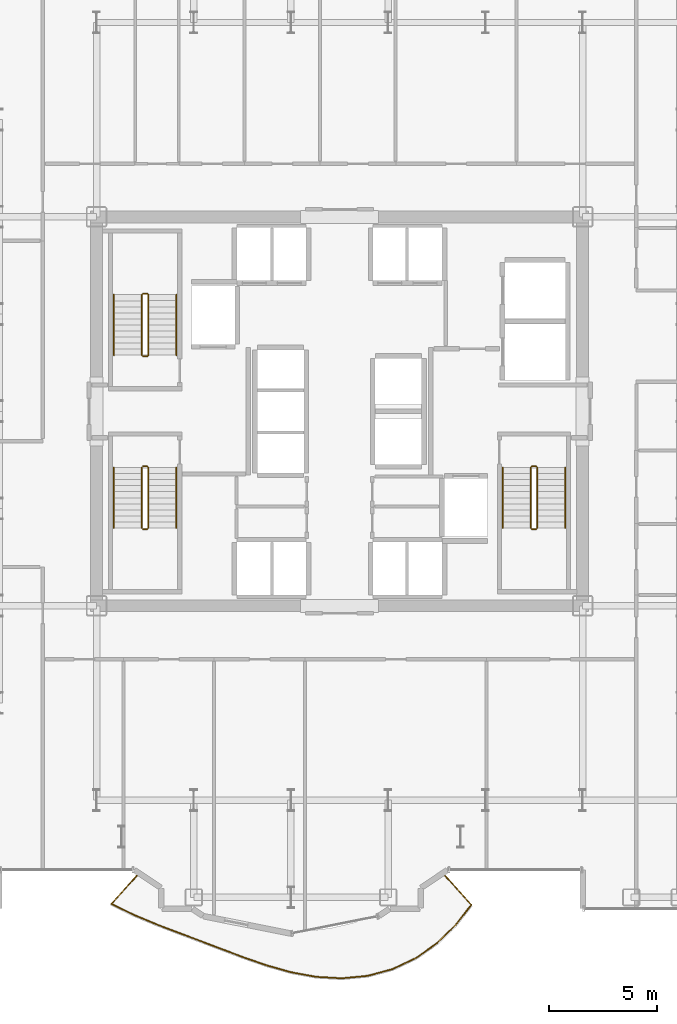
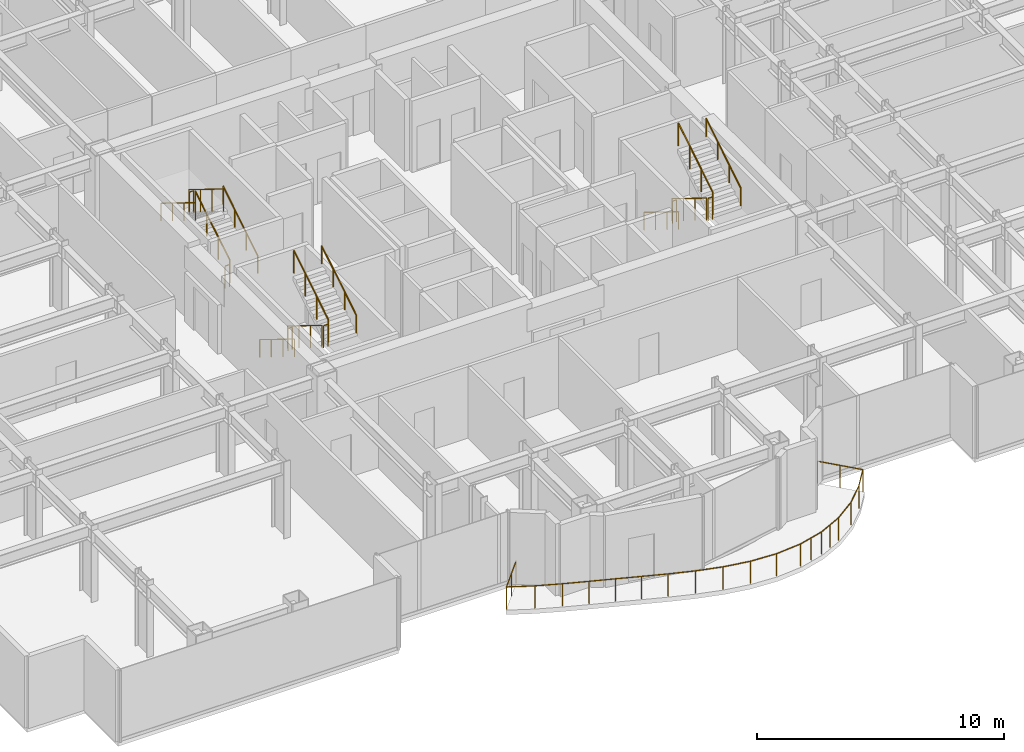
# One storey, part 28 of 29: 19 railings.
"""IFC4 building model written with IfcOpenShell, lengths in metres."""

import ifcopenshell
import ifcopenshell.guid

model = None  # the IFC model being written
_history = None  # IfcOwnerHistory: only IFC2X3 demands one
_inside = {}  # id of a spatial element -> (the spatial element, [elements in it])
_under = {}  # id of a project, library or spatial element -> (it, [spatial elements below it])
_declared = {}  # id of a project -> (the project, [libraries it declares])
_typed = {}  # id of a type object -> (the type object, [elements of that type])
_made_of = {}  # id of a material, layer set ... -> (it, [elements and type objects made of it])


def new_model(schema):
    """Start an empty IFC model of exactly this schema.

    Asked for "IFC4X3", IfcOpenShell would pick the latest addendum, in which some entities
    have other attributes; the version numbers below select the first issue.
    IFC2X3 requires an IfcOwnerHistory on every rooted entity: one is made here for all.
    """
    global model, _history
    if schema == "IFC4X3":
        model = ifcopenshell.file(schema_version=(4, 3, 0, 0))
    else:
        model = ifcopenshell.file(schema=schema)
    _inside.clear()
    _under.clear()
    _declared.clear()
    _typed.clear()
    _made_of.clear()
    _history = None
    if model.schema == "IFC2X3":
        org = make("IfcOrganization", Name="unknown")
        user = make(
            "IfcPersonAndOrganization",
            ThePerson=make("IfcPerson", FamilyName="unknown"),
            TheOrganization=org,
        )
        app = make(
            "IfcApplication",
            ApplicationDeveloper=org,
            Version="unknown",
            ApplicationFullName="unknown",
            ApplicationIdentifier="unknown",
        )
        _history = make(
            "IfcOwnerHistory",
            OwningUser=user,
            OwningApplication=app,
            ChangeAction="ADDED",
            CreationDate=0,
        )
    return model


def make(cls, **values):
    """One entity of the class cls with the attributes given. An attribute that is None is left unset."""
    return model.create_entity(
        cls, **{name: value for name, value in values.items() if value is not None}
    )


def rooted(cls, **values):
    """An entity with a GlobalId (a new one), such as an element, a storey or a relation."""
    return make(cls, GlobalId=ifcopenshell.guid.new(), OwnerHistory=_history, **values)


def si_unit(unit_type, name, prefix=None):
    """IfcSIUnit, for example si_unit("LENGTHUNIT", "METRE", prefix="MILLI")."""
    return make("IfcSIUnit", UnitType=unit_type, Prefix=prefix, Name=name)


def assignment(units):
    """IfcUnitAssignment: the units of a project."""
    return None if units is None else make("IfcUnitAssignment", Units=units)


def point(xyz):
    """IfcCartesianPoint."""
    return None if xyz is None else make("IfcCartesianPoint", Coordinates=xyz)


def direction(xyz):
    """IfcDirection."""
    return None if xyz is None else make("IfcDirection", DirectionRatios=xyz)


def frame(location, z_axis=None, x_axis=None):
    """IfcAxis2Placement3D, a coordinate frame: its origin and axes. An axis left out is left unset."""
    return make(
        "IfcAxis2Placement3D",
        Location=point(location),
        Axis=direction(z_axis),
        RefDirection=direction(x_axis),
    )


def frame_2d(location, x_axis=None):
    """IfcAxis2Placement2D, a coordinate frame in the plane: its origin and x axis."""
    return make(
        "IfcAxis2Placement2D", Location=point(location), RefDirection=direction(x_axis)
    )


def origin():
    """The frame at (0, 0, 0) with its axes left unset."""
    return frame((0.0, 0.0, 0.0))


def origin_2d():
    """The frame at (0, 0) in the plane with its x axis left unset."""
    return frame_2d((0.0, 0.0))


def place(relative_to, where):
    """IfcLocalPlacement: puts the frame where relative to a parent placement (None: the world)."""
    return make(
        "IfcLocalPlacement", PlacementRelTo=relative_to, RelativePlacement=where
    )


def context(
    kind, dimensions, precision=None, world=None, true_north=None, identifier=None
):
    """IfcGeometricRepresentationContext, for example the 3D "Model" context."""
    return make(
        "IfcGeometricRepresentationContext",
        ContextIdentifier=identifier,
        ContextType=kind,
        CoordinateSpaceDimension=dimensions,
        Precision=precision,
        WorldCoordinateSystem=world,
        TrueNorth=true_north,
    )


def subcontext(parent, identifier, kind, view, scale=None):
    """IfcGeometricRepresentationSubContext, for example "Body" below "Model"."""
    return make(
        "IfcGeometricRepresentationSubContext",
        ContextIdentifier=identifier,
        ContextType=kind,
        ParentContext=parent,
        TargetScale=scale,
        TargetView=view,
    )


def project(units=None, contexts=None):
    """IfcProject with its units and contexts."""
    return rooted(
        "IfcProject",
        Name="project",
        RepresentationContexts=contexts,
        UnitsInContext=assignment(units),
    )


def spatial(cls, under=None, at=None, **own):
    """A site, building, storey or space (cls), placed at a placement, below another one or the project."""
    s = rooted(cls, ObjectPlacement=at, **own)
    if under is not None:
        _under.setdefault(under.id(), (under, []))[1].append(s)
    return s


def profile(cls, at=None, kind="AREA", **sizes):
    """A parametric profile (cls). Its sizes go by their IFC names, for example OverallWidth=200.0."""
    return make(cls, ProfileType=kind, Position=at, **sizes)


def circle(**sizes):
    """IfcCircleProfileDef."""
    return profile("IfcCircleProfileDef", **sizes)


def extrude(swept, where, along, depth):
    """IfcExtrudedAreaSolid: the profile swept, set in the frame where, extruded along a direction by depth."""
    return make(
        "IfcExtrudedAreaSolid",
        SweptArea=swept,
        Position=where,
        ExtrudedDirection=direction(along),
        Depth=depth,
    )


def shape(context_of_items, identifier, shape_type, items):
    """IfcShapeRepresentation: the items that make up one representation, for example the "Body"."""
    return make(
        "IfcShapeRepresentation",
        ContextOfItems=context_of_items,
        RepresentationIdentifier=identifier,
        RepresentationType=shape_type,
        Items=items,
    )


def material(Name=None, Category=None):
    """IfcMaterial."""
    return make("IfcMaterial", Name=Name, Category=Category)


def made_of(thing, what):
    """Note that an element or type object is made of a material, layer set ...; save() writes the relation."""
    if what is not None:
        _made_of.setdefault(what.id(), (what, []))[1].append(thing)
    return thing


def type_object(cls, material=None, **own):
    """A type object (cls), such as IfcWallType, which elements share."""
    return made_of(rooted(cls, **own), material)


def element(
    cls,
    number,
    at=None,
    inside=None,
    cuts=None,
    type_object=None,
    material=None,
    context=None,
    identifier="Body",
    shape_type=None,
    held_by="IfcProductDefinitionShape",
    body=None,
    shapes=None,
    **own,
):
    """One element of the class cls, such as IfcWall. Its Tag is "e" and its number.

    at: its placement. inside: the storey or other place that contains it. cuts: it is an
    opening in that element (IfcRelVoidsElement). A single representation is given by context,
    identifier, shape_type and body (its items); several are given by shapes. held_by: the class
    of the entity that holds the representations. save() writes the other relations.
    """
    e = rooted(cls, Tag="e%d" % number, ObjectPlacement=at, **own)
    if body is not None:
        shapes = [shape(context, identifier, shape_type, body)]
    if shapes is not None:
        e.Representation = make(held_by, Representations=shapes)
    if inside is not None:
        _inside.setdefault(inside.id(), (inside, []))[1].append(e)
    if cuts is not None:
        rooted(
            "IfcRelVoidsElement", RelatingBuildingElement=cuts, RelatedOpeningElement=e
        )
    if type_object is not None:
        _typed.setdefault(type_object.id(), (type_object, []))[1].append(e)
    return made_of(e, material)


def aggregate(whole, parts):
    """IfcRelAggregates: a whole, such as a stair, and the parts it consists of."""
    return rooted("IfcRelAggregates", RelatingObject=whole, RelatedObjects=parts)


def save(model, path):
    """Write the relations noted so far, then the file.

    IfcRelAggregates (storeys below a building ...), IfcRelContainedInSpatialStructure (elements
    in a storey), IfcRelDefinesByType, IfcRelAssociatesMaterial and IfcRelDeclares: one each for
    every whole, place, type object, material and project.
    """
    for whole, parts in _under.values():
        aggregate(whole, parts)
    for where, things in _inside.values():
        rooted(
            "IfcRelContainedInSpatialStructure",
            RelatedElements=things,
            RelatingStructure=where,
        )
    for kind, things in _typed.values():
        rooted("IfcRelDefinesByType", RelatedObjects=things, RelatingType=kind)
    for what, things in _made_of.values():
        rooted("IfcRelAssociatesMaterial", RelatedObjects=things, RelatingMaterial=what)
    for by, libraries in _declared.values():
        rooted("IfcRelDeclares", RelatingContext=by, RelatedDefinitions=libraries)
    model.write(path)


model = new_model("IFC4")

# Units and contexts
model_context = context("Model", 3, precision=1e-05, world=origin(), true_north=direction((0.0, 1.0)))
body_context = subcontext(model_context, "Body", "Model", "MODEL_VIEW")
ifc_project = project(units=[si_unit("LENGTHUNIT", "METRE"), si_unit("AREAUNIT", "SQUARE_METRE"), si_unit("VOLUMEUNIT", "CUBIC_METRE"), si_unit("PLANEANGLEUNIT", "RADIAN"), si_unit("MASSUNIT", "GRAM", prefix="KILO")], contexts=[model_context])

# Site, building, storey
site_placement = place(None, origin())
site = spatial("IfcSite", under=ifc_project, at=site_placement, CompositionType="ELEMENT")
building_placement = place(site_placement, origin())
building = spatial("IfcBuilding", under=site, at=building_placement, Name="Nefas-Gora Pilgrimage Tower", CompositionType="ELEMENT")
storey_placement = place(building_placement, frame((0.0, 0.0, 136.39990234375)))
storey = spatial("IfcBuildingStorey", under=building, at=storey_placement, Name="L33", CompositionType="ELEMENT", Elevation=136.39990234375)

# Railings
ifc_material_1 = material(Name="Laminated safety glass and stainless steel", Category="steel")
railing_type_1 = type_object("IfcRailingType", Name="RLG-BAL-1100", PredefinedType="BALUSTRADE", material=ifc_material_1)
railing_1_placement = place(storey_placement, frame((-9.302490234375, -21.402587890625, 0.0)))
element("IfcRailing", 1, at=railing_1_placement, inside=storey, type_object=railing_type_1, Name="L33 Wave Balcony Balustrade S2", PredefinedType="BALUSTRADE", context=body_context, shape_type="SweptSolid", body=[
    extrude(circle(Radius=0.02392578125, at=origin_2d()), frame((0.0, 0.0, 1.09619140625), z_axis=(-0.669129721026, -0.743145622634, 0.0), x_axis=(0.743145622634, -0.669129721026, 0.0)), (0.0, 0.0, 1.0), 1.880126953125),
    extrude(circle(Radius=0.02392578125, at=origin_2d()), frame((-1.258056640625, -1.397216796875, 1.09619140625), z_axis=(0.897530866126, -0.440951634934, 0.0), x_axis=(0.440951634934, 0.897530866126, 0.0)), (0.0, 0.0, 1.0), 1.156005859375),
    extrude(circle(Radius=0.02392578125, at=origin_2d()), frame((-0.220458984375, -1.906982421875, 1.09619140625), z_axis=(0.923243625246, -0.38421505494, 0.0), x_axis=(0.38421505494, 0.923243625246, 0.0)), (0.0, 0.0, 1.0), 1.1259765625),
    extrude(circle(Radius=0.02392578125, at=origin_2d()), frame((0.819091796875, -2.339599609375, 1.09619140625), z_axis=(0.934374803471, -0.356291631447, 0.0), x_axis=(0.356291631447, 0.934374803471, 0.0)), (0.0, 0.0, 1.0), 1.096435546875),
    extrude(circle(Radius=0.02392578125, at=origin_2d()), frame((1.843505859375, -2.730224609375, 1.09619140625), z_axis=(0.936142832811, -0.351619960436, 0.0), x_axis=(0.351619960436, 0.936142832811, 0.0)), (0.0, 0.0, 1.0), 1.07763671875),
    extrude(circle(Radius=0.02392578125, at=origin_2d()), frame((2.852294921875, -3.109130859375, 1.09619140625), z_axis=(0.934584678215, -0.355740747239, 0.0), x_axis=(0.355740747239, 0.934584678215, 0.0)), (0.0, 0.0, 1.0), 1.076904296875),
    extrude(circle(Radius=0.02392578125, at=origin_2d()), frame((3.858642578125, -3.4921875, 1.09619140625), z_axis=(0.935740767911, -0.352688552791, 0.0), x_axis=(0.352688552791, 0.935740767911, 0.0)), (0.0, 0.0, 1.0), 1.09375),
    extrude(circle(Radius=0.02392578125, at=origin_2d()), frame((4.882080078125, -3.8779296875, 1.09619140625), z_axis=(0.944898112614, -0.327364562496, 0.0), x_axis=(0.327364562496, 0.944898112614, 0.0)), (0.0, 0.0, 1.0), 1.122314453125),
    extrude(circle(Radius=0.02392578125, at=origin_2d()), frame((5.942626953125, -4.245361328125, 1.09619140625), z_axis=(0.96246102168, -0.271419936162, 0.0), x_axis=(0.271419936162, 0.96246102168, 0.0)), (0.0, 0.0, 1.0), 1.153076171875),
    extrude(circle(Radius=0.02392578125, at=origin_2d()), frame((7.052490234375, -4.558349609375, 1.09619140625), z_axis=(0.983449300548, -0.181183534713, 0.0), x_axis=(0.181183534713, 0.983449300548, 0.0)), (0.0, 0.0, 1.0), 1.177734375),
    extrude(circle(Radius=0.02392578125, at=origin_2d()), frame((8.210693359375, -4.771728515625, 1.09619140625), z_axis=(0.998344239726, -0.057521987157, 0.0), x_axis=(0.057521987157, 0.998344239726, 0.0)), (0.0, 0.0, 1.0), 1.192626953125),
    extrude(circle(Radius=0.02392578125, at=origin_2d()), frame((9.4013671875, -4.84033203125, 1.09619140625), z_axis=(0.995583812975, 0.093876894617, 0.0), x_axis=(-0.093876894617, 0.995583812975, 0.0)), (0.0, 0.0, 1.0), 1.198974609375),
    extrude(circle(Radius=0.02392578125, at=origin_2d()), frame((10.594970703125, -4.727783203125, 1.09619140625), z_axis=(0.965413215034, 0.260724613793, 0.0), x_axis=(-0.260724613793, 0.965413215034, 0.0)), (0.0, 0.0, 1.0), 1.200439453125),
    extrude(circle(Radius=0.02392578125, at=origin_2d()), frame((11.75390625, -4.414794921875, 1.09619140625), z_axis=(0.904015108166, 0.427500507844, 0.0), x_axis=(-0.427500507844, 0.904015108166, 0.0)), (0.0, 0.0, 1.0), 1.200439453125),
    extrude(circle(Radius=0.02392578125, at=origin_2d()), frame((12.839111328125, -3.901611328125, 1.09619140625), z_axis=(0.816392240184, 0.577497801007, 0.0), x_axis=(-0.577497801007, 0.816392240184, 0.0)), (0.0, 0.0, 1.0), 1.19970703125),
    extrude(circle(Radius=0.02392578125, at=origin_2d()), frame((13.818603515625, -3.208740234375, 1.09619140625), z_axis=(0.715228965311, 0.698890211106, 0.0), x_axis=(-0.698890211106, 0.715228965311, 0.0)), (0.0, 0.0, 1.0), 1.1953125),
    extrude(circle(Radius=0.02392578125, at=origin_2d()), frame((14.673583984375, -2.373291015625, 1.09619140625), z_axis=(0.615495930297, 0.78814006356, 0.0), x_axis=(-0.78814006356, 0.615495930297, 0.0)), (0.0, 0.0, 1.0), 1.18359375),
    extrude(circle(Radius=0.02392578125, at=origin_2d()), frame((15.402099609375, -1.4404296875, 1.09619140625), z_axis=(-0.669173462492, 0.743106235404, 0.0), x_axis=(-0.743106235404, -0.669173462492, 0.0)), (0.0, 0.0, 1.0), 1.9384765625),
    extrude(circle(Radius=0.02099609375, at=origin_2d()), origin(), (0.0, 0.0, 1.0), 1.072021484375),
    extrude(circle(Radius=0.02099609375, at=origin_2d()), frame((-0.62890625, -0.69873046875, 0.0)), (0.0, 0.0, 1.0), 1.072021484375),
    extrude(circle(Radius=0.02099609375, at=origin_2d()), frame((-1.258056640625, -1.397216796875, 0.0)), (0.0, 0.0, 1.0), 1.072021484375),
    extrude(circle(Radius=0.02099609375, at=origin_2d()), frame((-0.220458984375, -1.906982421875, 0.0)), (0.0, 0.0, 1.0), 1.072021484375),
    extrude(circle(Radius=0.02099609375, at=origin_2d()), frame((0.819091796875, -2.339599609375, 0.0)), (0.0, 0.0, 1.0), 1.072021484375),
    extrude(circle(Radius=0.02099609375, at=origin_2d()), frame((1.843505859375, -2.730224609375, 0.0)), (0.0, 0.0, 1.0), 1.072021484375),
    extrude(circle(Radius=0.02099609375, at=origin_2d()), frame((2.852294921875, -3.109130859375, 0.0)), (0.0, 0.0, 1.0), 1.072021484375),
    extrude(circle(Radius=0.02099609375, at=origin_2d()), frame((3.858642578125, -3.4921875, 0.0)), (0.0, 0.0, 1.0), 1.072021484375),
    extrude(circle(Radius=0.02099609375, at=origin_2d()), frame((4.882080078125, -3.8779296875, 0.0)), (0.0, 0.0, 1.0), 1.072021484375),
    extrude(circle(Radius=0.02099609375, at=origin_2d()), frame((5.942626953125, -4.245361328125, 0.0)), (0.0, 0.0, 1.0), 1.072021484375),
    extrude(circle(Radius=0.02099609375, at=origin_2d()), frame((7.052490234375, -4.558349609375, 0.0)), (0.0, 0.0, 1.0), 1.072021484375),
    extrude(circle(Radius=0.02099609375, at=origin_2d()), frame((8.210693359375, -4.771728515625, 0.0)), (0.0, 0.0, 1.0), 1.072021484375),
    extrude(circle(Radius=0.02099609375, at=origin_2d()), frame((9.4013671875, -4.84033203125, 0.0)), (0.0, 0.0, 1.0), 1.072021484375),
    extrude(circle(Radius=0.02099609375, at=origin_2d()), frame((10.594970703125, -4.727783203125, 0.0)), (0.0, 0.0, 1.0), 1.072021484375),
    extrude(circle(Radius=0.02099609375, at=origin_2d()), frame((11.17431640625, -4.5712890625, 0.0)), (0.0, 0.0, 1.0), 1.072021484375),
    extrude(circle(Radius=0.02099609375, at=origin_2d()), frame((11.75390625, -4.414794921875, 0.0)), (0.0, 0.0, 1.0), 1.072021484375),
    extrude(circle(Radius=0.02099609375, at=origin_2d()), frame((12.29638671875, -4.158203125, 0.0)), (0.0, 0.0, 1.0), 1.072021484375),
    extrude(circle(Radius=0.02099609375, at=origin_2d()), frame((12.839111328125, -3.901611328125, 0.0)), (0.0, 0.0, 1.0), 1.072021484375),
    extrude(circle(Radius=0.02099609375, at=origin_2d()), frame((13.818603515625, -3.208740234375, 0.0)), (0.0, 0.0, 1.0), 1.072021484375),
    extrude(circle(Radius=0.02099609375, at=origin_2d()), frame((14.673583984375, -2.373291015625, 0.0)), (0.0, 0.0, 1.0), 1.072021484375),
    extrude(circle(Radius=0.02099609375, at=origin_2d()), frame((15.402099609375, -1.4404296875, 0.0)), (0.0, 0.0, 1.0), 1.072021484375),
    extrude(circle(Radius=0.02099609375, at=origin_2d()), frame((14.75341796875, -0.72021484375, 0.0)), (0.0, 0.0, 1.0), 1.072021484375),
    extrude(circle(Radius=0.02099609375, at=origin_2d()), frame((14.10498046875, 0.0, 0.0)), (0.0, 0.0, 1.0), 1.072021484375),
])
ifc_material_2 = material(Name="Painted galvanised steel", Category="steel")
railing_type_2 = type_object("IfcRailingType", Name="RLG-STR-GUARD-1100", PredefinedType="GUARDRAIL", material=ifc_material_2)
railing_2_placement = place(storey_placement, frame((-8.85009765625, 2.60009765625, 0.1728515625)))
element("IfcRailing", 2, at=railing_2_placement, inside=storey, type_object=railing_type_2, Name="L33 ST-01 stair guard 1", PredefinedType="GUARDRAIL", context=body_context, shape_type="SweptSolid", body=[
    extrude(circle(Radius=0.02392578125, at=origin_2d()), frame((0.0, 0.0, 1.09619140625), z_axis=(0.0, 0.851069175582, 0.525053576669), x_axis=(-1.0, 0.0, 0.0)), (0.0, 0.0, 1.0), 3.289794921875),
    extrude(circle(Radius=0.02099609375, at=origin_2d()), origin(), (0.0, 0.0, 1.0), 1.072021484375),
    extrude(circle(Radius=0.02099609375, at=origin_2d()), frame((0.0, 0.933349609375, 0.57568359375)), (0.0, 0.0, 1.0), 1.072021484375),
    extrude(circle(Radius=0.02099609375, at=origin_2d()), frame((0.0, 1.866455078125, 1.151611328125)), (0.0, 0.0, 1.0), 1.072021484375),
    extrude(circle(Radius=0.02099609375, at=origin_2d()), frame((0.0, 2.7998046875, 1.727294921875)), (0.0, 0.0, 1.0), 1.072021484375),
])
railing_3_placement = place(storey_placement, frame((-8.89990234375, 5.449951171875, 1.900146484375)))
element("IfcRailing", 3, at=railing_3_placement, inside=storey, type_object=railing_type_2, Name="L33 ST-01 stair guard 2", PredefinedType="GUARDRAIL", context=body_context, shape_type="SweptSolid", body=[
    extrude(circle(Radius=0.02392578125, at=origin_2d()), frame((0.0, 0.0, 1.09619140625), z_axis=(-1.0, 0.0, 0.0), x_axis=(0.0, -1.0, 0.0)), (0.0, 0.0, 1.0), 0.2001953125),
    extrude(circle(Radius=0.02099609375, at=origin_2d()), origin(), (0.0, 0.0, 1.0), 1.072021484375),
    extrude(circle(Radius=0.02099609375, at=origin_2d()), frame((-0.2001953125, 0.0, 0.0)), (0.0, 0.0, 1.0), 1.072021484375),
])
railing_4_placement = place(storey_placement, frame((-9.14990234375, 5.39990234375, 2.07275390625)))
element("IfcRailing", 4, at=railing_4_placement, inside=storey, type_object=railing_type_2, Name="L33 ST-01 stair guard 3", PredefinedType="GUARDRAIL", context=body_context, shape_type="SweptSolid", body=[
    extrude(circle(Radius=0.02392578125, at=origin_2d()), frame((0.0, 0.0, 1.09619140625), z_axis=(0.0, -0.851069175582, 0.525053576669), x_axis=(1.0, 0.0, 0.0)), (0.0, 0.0, 1.0), 3.289794921875),
    extrude(circle(Radius=0.02099609375, at=origin_2d()), origin(), (0.0, 0.0, 1.0), 1.072021484375),
    extrude(circle(Radius=0.02099609375, at=origin_2d()), frame((0.0, -0.933349609375, 0.57568359375)), (0.0, 0.0, 1.0), 1.072021484375),
    extrude(circle(Radius=0.02099609375, at=origin_2d()), frame((0.0, -1.866455078125, 1.151611328125)), (0.0, 0.0, 1.0), 1.072021484375),
    extrude(circle(Radius=0.02099609375, at=origin_2d()), frame((0.0, -2.7998046875, 1.727294921875)), (0.0, 0.0, 1.0), 1.072021484375),
])
railing_5_placement = place(storey_placement, frame((-8.89990234375, 2.550048828125, 0.0)))
element("IfcRailing", 5, at=railing_5_placement, inside=storey, type_object=railing_type_2, Name="L33 ST-01 stair guard 4", PredefinedType="GUARDRAIL", context=body_context, shape_type="SweptSolid", body=[
    extrude(circle(Radius=0.02392578125, at=origin_2d()), frame((0.0, 0.0, 1.09619140625), z_axis=(-1.0, 0.0, 0.0), x_axis=(0.0, -1.0, 0.0)), (0.0, 0.0, 1.0), 0.2001953125),
    extrude(circle(Radius=0.02099609375, at=origin_2d()), origin(), (0.0, 0.0, 1.0), 1.072021484375),
    extrude(circle(Radius=0.02099609375, at=origin_2d()), frame((-0.2001953125, 0.0, 0.0)), (0.0, 0.0, 1.0), 1.072021484375),
])
railing_6_placement = place(storey_placement, frame((8.85009765625, -2.60009765625, 0.1728515625)))
element("IfcRailing", 6, at=railing_6_placement, inside=storey, type_object=railing_type_2, Name="L33 ST-02 stair guard 1", PredefinedType="GUARDRAIL", context=body_context, shape_type="SweptSolid", body=[
    extrude(circle(Radius=0.02392578125, at=origin_2d()), frame((0.0, 0.0, 1.09619140625), z_axis=(0.0, -0.851069175582, 0.525053576669), x_axis=(1.0, 0.0, 0.0)), (0.0, 0.0, 1.0), 3.289794921875),
    extrude(circle(Radius=0.02099609375, at=origin_2d()), origin(), (0.0, 0.0, 1.0), 1.072021484375),
    extrude(circle(Radius=0.02099609375, at=origin_2d()), frame((0.0, -0.933349609375, 0.57568359375)), (0.0, 0.0, 1.0), 1.072021484375),
    extrude(circle(Radius=0.02099609375, at=origin_2d()), frame((0.0, -1.866455078125, 1.151611328125)), (0.0, 0.0, 1.0), 1.072021484375),
    extrude(circle(Radius=0.02099609375, at=origin_2d()), frame((0.0, -2.7998046875, 1.727294921875)), (0.0, 0.0, 1.0), 1.072021484375),
])
railing_7_placement = place(storey_placement, frame((8.89990234375, -5.449951171875, 1.900146484375)))
element("IfcRailing", 7, at=railing_7_placement, inside=storey, type_object=railing_type_2, Name="L33 ST-02 stair guard 2", PredefinedType="GUARDRAIL", context=body_context, shape_type="SweptSolid", body=[
    extrude(circle(Radius=0.02392578125, at=origin_2d()), frame((0.0, 0.0, 1.09619140625), z_axis=(1.0, 0.0, 0.0), x_axis=(0.0, 1.0, 0.0)), (0.0, 0.0, 1.0), 0.2001953125),
    extrude(circle(Radius=0.02099609375, at=origin_2d()), origin(), (0.0, 0.0, 1.0), 1.072021484375),
    extrude(circle(Radius=0.02099609375, at=origin_2d()), frame((0.2001953125, 0.0, 0.0)), (0.0, 0.0, 1.0), 1.072021484375),
])
railing_8_placement = place(storey_placement, frame((9.14990234375, -5.39990234375, 2.07275390625)))
element("IfcRailing", 8, at=railing_8_placement, inside=storey, type_object=railing_type_2, Name="L33 ST-02 stair guard 3", PredefinedType="GUARDRAIL", context=body_context, shape_type="SweptSolid", body=[
    extrude(circle(Radius=0.02392578125, at=origin_2d()), frame((0.0, 0.0, 1.09619140625), z_axis=(0.0, 0.851069175582, 0.525053576669), x_axis=(-1.0, 0.0, 0.0)), (0.0, 0.0, 1.0), 3.289794921875),
    extrude(circle(Radius=0.02099609375, at=origin_2d()), origin(), (0.0, 0.0, 1.0), 1.072021484375),
    extrude(circle(Radius=0.02099609375, at=origin_2d()), frame((0.0, 0.933349609375, 0.57568359375)), (0.0, 0.0, 1.0), 1.072021484375),
    extrude(circle(Radius=0.02099609375, at=origin_2d()), frame((0.0, 1.866455078125, 1.151611328125)), (0.0, 0.0, 1.0), 1.072021484375),
    extrude(circle(Radius=0.02099609375, at=origin_2d()), frame((0.0, 2.7998046875, 1.727294921875)), (0.0, 0.0, 1.0), 1.072021484375),
])
railing_9_placement = place(storey_placement, frame((8.89990234375, -2.550048828125, 0.0)))
element("IfcRailing", 9, at=railing_9_placement, inside=storey, type_object=railing_type_2, Name="L33 ST-02 stair guard 4", PredefinedType="GUARDRAIL", context=body_context, shape_type="SweptSolid", body=[
    extrude(circle(Radius=0.02392578125, at=origin_2d()), frame((0.0, 0.0, 1.09619140625), z_axis=(1.0, 0.0, 0.0), x_axis=(0.0, 1.0, 0.0)), (0.0, 0.0, 1.0), 0.2001953125),
    extrude(circle(Radius=0.02099609375, at=origin_2d()), origin(), (0.0, 0.0, 1.0), 1.072021484375),
    extrude(circle(Radius=0.02099609375, at=origin_2d()), frame((0.2001953125, 0.0, 0.0)), (0.0, 0.0, 1.0), 1.072021484375),
])
railing_10_placement = place(storey_placement, frame((-9.14990234375, -2.60009765625, 0.1728515625)))
element("IfcRailing", 10, at=railing_10_placement, inside=storey, type_object=railing_type_2, Name="L33 ST-03 stair guard 1", PredefinedType="GUARDRAIL", context=body_context, shape_type="SweptSolid", body=[
    extrude(circle(Radius=0.02392578125, at=origin_2d()), frame((0.0, 0.0, 1.09619140625), z_axis=(0.0, -0.851069175582, 0.525053576669), x_axis=(1.0, 0.0, 0.0)), (0.0, 0.0, 1.0), 3.289794921875),
    extrude(circle(Radius=0.02099609375, at=origin_2d()), origin(), (0.0, 0.0, 1.0), 1.072021484375),
    extrude(circle(Radius=0.02099609375, at=origin_2d()), frame((0.0, -0.933349609375, 0.57568359375)), (0.0, 0.0, 1.0), 1.072021484375),
    extrude(circle(Radius=0.02099609375, at=origin_2d()), frame((0.0, -1.866455078125, 1.151611328125)), (0.0, 0.0, 1.0), 1.072021484375),
    extrude(circle(Radius=0.02099609375, at=origin_2d()), frame((0.0, -2.7998046875, 1.727294921875)), (0.0, 0.0, 1.0), 1.072021484375),
])
railing_11_placement = place(storey_placement, frame((-9.10009765625, -5.449951171875, 1.900146484375)))
element("IfcRailing", 11, at=railing_11_placement, inside=storey, type_object=railing_type_2, Name="L33 ST-03 stair guard 2", PredefinedType="GUARDRAIL", context=body_context, shape_type="SweptSolid", body=[
    extrude(circle(Radius=0.02392578125, at=origin_2d()), frame((0.0, 0.0, 1.09619140625), z_axis=(1.0, 0.0, 0.0), x_axis=(0.0, 1.0, 0.0)), (0.0, 0.0, 1.0), 0.2001953125),
    extrude(circle(Radius=0.02099609375, at=origin_2d()), origin(), (0.0, 0.0, 1.0), 1.072021484375),
    extrude(circle(Radius=0.02099609375, at=origin_2d()), frame((0.2001953125, 0.0, 0.0)), (0.0, 0.0, 1.0), 1.072021484375),
])
railing_12_placement = place(storey_placement, frame((-8.85009765625, -5.39990234375, 2.07275390625)))
element("IfcRailing", 12, at=railing_12_placement, inside=storey, type_object=railing_type_2, Name="L33 ST-03 stair guard 3", PredefinedType="GUARDRAIL", context=body_context, shape_type="SweptSolid", body=[
    extrude(circle(Radius=0.02392578125, at=origin_2d()), frame((0.0, 0.0, 1.09619140625), z_axis=(0.0, 0.851069175582, 0.525053576669), x_axis=(-1.0, 0.0, 0.0)), (0.0, 0.0, 1.0), 3.289794921875),
    extrude(circle(Radius=0.02099609375, at=origin_2d()), origin(), (0.0, 0.0, 1.0), 1.072021484375),
    extrude(circle(Radius=0.02099609375, at=origin_2d()), frame((0.0, 0.933349609375, 0.57568359375)), (0.0, 0.0, 1.0), 1.072021484375),
    extrude(circle(Radius=0.02099609375, at=origin_2d()), frame((0.0, 1.866455078125, 1.151611328125)), (0.0, 0.0, 1.0), 1.072021484375),
    extrude(circle(Radius=0.02099609375, at=origin_2d()), frame((0.0, 2.7998046875, 1.727294921875)), (0.0, 0.0, 1.0), 1.072021484375),
])
railing_13_placement = place(storey_placement, frame((-9.10009765625, -2.550048828125, 0.0)))
element("IfcRailing", 13, at=railing_13_placement, inside=storey, type_object=railing_type_2, Name="L33 ST-03 stair guard 4", PredefinedType="GUARDRAIL", context=body_context, shape_type="SweptSolid", body=[
    extrude(circle(Radius=0.02392578125, at=origin_2d()), frame((0.0, 0.0, 1.09619140625), z_axis=(1.0, 0.0, 0.0), x_axis=(0.0, 1.0, 0.0)), (0.0, 0.0, 1.0), 0.2001953125),
    extrude(circle(Radius=0.02099609375, at=origin_2d()), origin(), (0.0, 0.0, 1.0), 1.072021484375),
    extrude(circle(Radius=0.02099609375, at=origin_2d()), frame((0.2001953125, 0.0, 0.0)), (0.0, 0.0, 1.0), 1.072021484375),
])
ifc_material_3 = material(Name="Brushed stainless steel", Category="steel")
railing_type_3 = type_object("IfcRailingType", Name="RLG-STR-HAND-900", PredefinedType="HANDRAIL", material=ifc_material_3)
railing_14_placement = place(storey_placement, frame((-7.550048828125, 2.60009765625, 0.1728515625)))
element("IfcRailing", 14, at=railing_14_placement, inside=storey, type_object=railing_type_3, Name="L33 ST-01 stair handrail 1", PredefinedType="HANDRAIL", context=body_context, shape_type="SweptSolid", body=[
    extrude(circle(Radius=0.02392578125, at=origin_2d()), frame((0.0, 0.0, 0.8759765625), z_axis=(0.0, 0.851069175582, 0.525053576669), x_axis=(-1.0, 0.0, 0.0)), (0.0, 0.0, 1.0), 3.289794921875),
    extrude(circle(Radius=0.02099609375, at=origin_2d()), origin(), (0.0, 0.0, 1.0), 0.851806640625),
    extrude(circle(Radius=0.02099609375, at=origin_2d()), frame((0.0, 0.933349609375, 0.57568359375)), (0.0, 0.0, 1.0), 0.851806640625),
    extrude(circle(Radius=0.02099609375, at=origin_2d()), frame((0.0, 1.866455078125, 1.151611328125)), (0.0, 0.0, 1.0), 0.851806640625),
    extrude(circle(Radius=0.02099609375, at=origin_2d()), frame((0.0, 2.7998046875, 1.727294921875)), (0.0, 0.0, 1.0), 0.851806640625),
])
for number, where, name in (
    (15, (-10.449951171875, 5.39990234375, 2.07275390625), "L33 ST-01 stair handrail 2"),
    (16, (7.550048828125, -2.60009765625, 0.1728515625), "L33 ST-02 stair handrail 1"),
):
    element("IfcRailing", number, at=place(storey_placement, frame(where)), inside=storey, type_object=railing_type_3, Name=name, PredefinedType="HANDRAIL", context=body_context, shape_type="SweptSolid", body=[
        extrude(circle(Radius=0.02392578125, at=origin_2d()), frame((0.0, 0.0, 0.8759765625), z_axis=(0.0, -0.851069175582, 0.525053576669), x_axis=(1.0, 0.0, 0.0)), (0.0, 0.0, 1.0), 3.289794921875),
        extrude(circle(Radius=0.02099609375, at=origin_2d()), origin(), (0.0, 0.0, 1.0), 0.851806640625),
        extrude(circle(Radius=0.02099609375, at=origin_2d()), frame((0.0, -0.933349609375, 0.57568359375)), (0.0, 0.0, 1.0), 0.851806640625),
        extrude(circle(Radius=0.02099609375, at=origin_2d()), frame((0.0, -1.866455078125, 1.151611328125)), (0.0, 0.0, 1.0), 0.851806640625),
        extrude(circle(Radius=0.02099609375, at=origin_2d()), frame((0.0, -2.7998046875, 1.727294921875)), (0.0, 0.0, 1.0), 0.851806640625),
    ])
railing_15_placement = place(storey_placement, frame((10.449951171875, -5.39990234375, 2.07275390625)))
element("IfcRailing", 17, at=railing_15_placement, inside=storey, type_object=railing_type_3, Name="L33 ST-02 stair handrail 2", PredefinedType="HANDRAIL", context=body_context, shape_type="SweptSolid", body=[
    extrude(circle(Radius=0.02392578125, at=origin_2d()), frame((0.0, 0.0, 0.8759765625), z_axis=(0.0, 0.851069175582, 0.525053576669), x_axis=(-1.0, 0.0, 0.0)), (0.0, 0.0, 1.0), 3.289794921875),
    extrude(circle(Radius=0.02099609375, at=origin_2d()), origin(), (0.0, 0.0, 1.0), 0.851806640625),
    extrude(circle(Radius=0.02099609375, at=origin_2d()), frame((0.0, 0.933349609375, 0.57568359375)), (0.0, 0.0, 1.0), 0.851806640625),
    extrude(circle(Radius=0.02099609375, at=origin_2d()), frame((0.0, 1.866455078125, 1.151611328125)), (0.0, 0.0, 1.0), 0.851806640625),
    extrude(circle(Radius=0.02099609375, at=origin_2d()), frame((0.0, 2.7998046875, 1.727294921875)), (0.0, 0.0, 1.0), 0.851806640625),
])
railing_16_placement = place(storey_placement, frame((-10.449951171875, -2.60009765625, 0.1728515625)))
element("IfcRailing", 18, at=railing_16_placement, inside=storey, type_object=railing_type_3, Name="L33 ST-03 stair handrail 1", PredefinedType="HANDRAIL", context=body_context, shape_type="SweptSolid", body=[
    extrude(circle(Radius=0.02392578125, at=origin_2d()), frame((0.0, 0.0, 0.8759765625), z_axis=(0.0, -0.851069175582, 0.525053576669), x_axis=(1.0, 0.0, 0.0)), (0.0, 0.0, 1.0), 3.289794921875),
    extrude(circle(Radius=0.02099609375, at=origin_2d()), origin(), (0.0, 0.0, 1.0), 0.851806640625),
    extrude(circle(Radius=0.02099609375, at=origin_2d()), frame((0.0, -0.933349609375, 0.57568359375)), (0.0, 0.0, 1.0), 0.851806640625),
    extrude(circle(Radius=0.02099609375, at=origin_2d()), frame((0.0, -1.866455078125, 1.151611328125)), (0.0, 0.0, 1.0), 0.851806640625),
    extrude(circle(Radius=0.02099609375, at=origin_2d()), frame((0.0, -2.7998046875, 1.727294921875)), (0.0, 0.0, 1.0), 0.851806640625),
])
railing_17_placement = place(storey_placement, frame((-7.550048828125, -5.39990234375, 2.07275390625)))
element("IfcRailing", 19, at=railing_17_placement, inside=storey, type_object=railing_type_3, Name="L33 ST-03 stair handrail 2", PredefinedType="HANDRAIL", context=body_context, shape_type="SweptSolid", body=[
    extrude(circle(Radius=0.02392578125, at=origin_2d()), frame((0.0, 0.0, 0.8759765625), z_axis=(0.0, 0.851069175582, 0.525053576669), x_axis=(-1.0, 0.0, 0.0)), (0.0, 0.0, 1.0), 3.289794921875),
    extrude(circle(Radius=0.02099609375, at=origin_2d()), origin(), (0.0, 0.0, 1.0), 0.851806640625),
    extrude(circle(Radius=0.02099609375, at=origin_2d()), frame((0.0, 0.933349609375, 0.57568359375)), (0.0, 0.0, 1.0), 0.851806640625),
    extrude(circle(Radius=0.02099609375, at=origin_2d()), frame((0.0, 1.866455078125, 1.151611328125)), (0.0, 0.0, 1.0), 0.851806640625),
    extrude(circle(Radius=0.02099609375, at=origin_2d()), frame((0.0, 2.7998046875, 1.727294921875)), (0.0, 0.0, 1.0), 0.851806640625),
])

save(model, "model.ifc")
